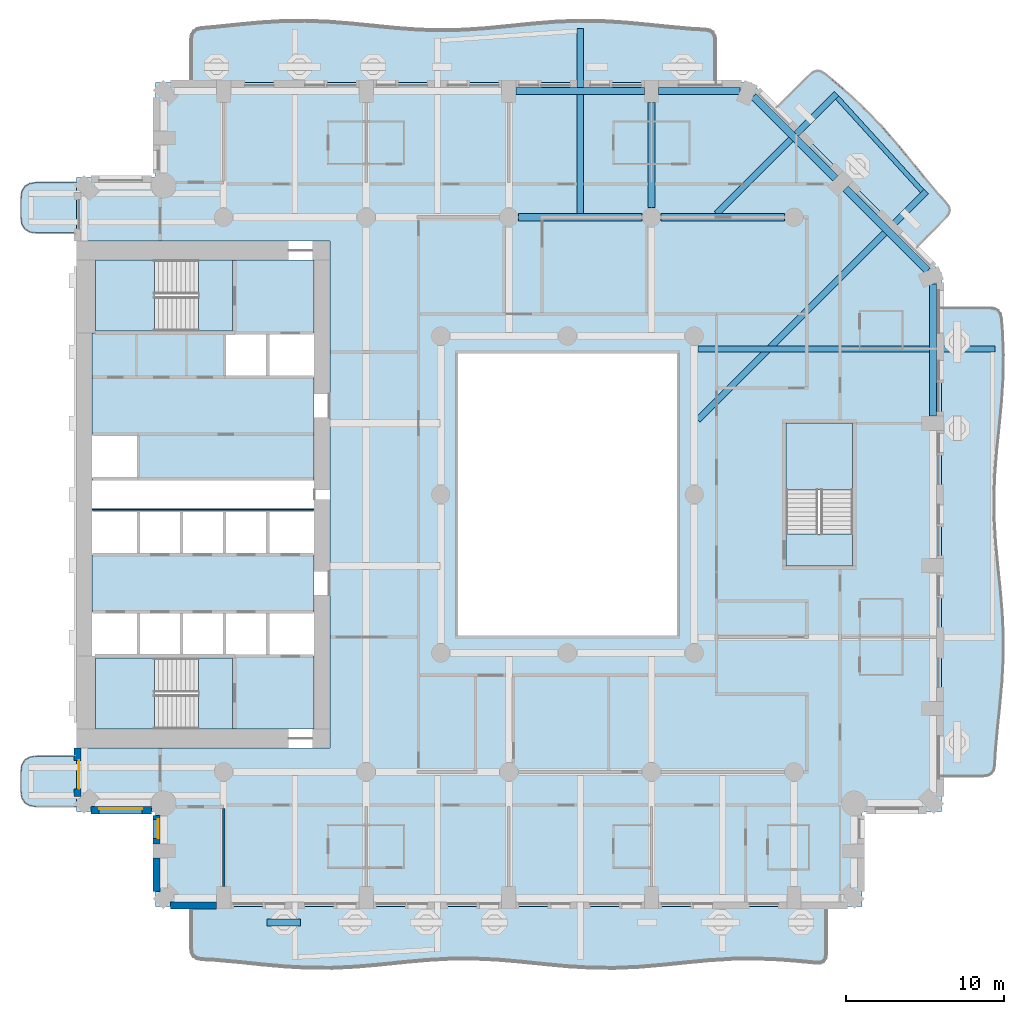
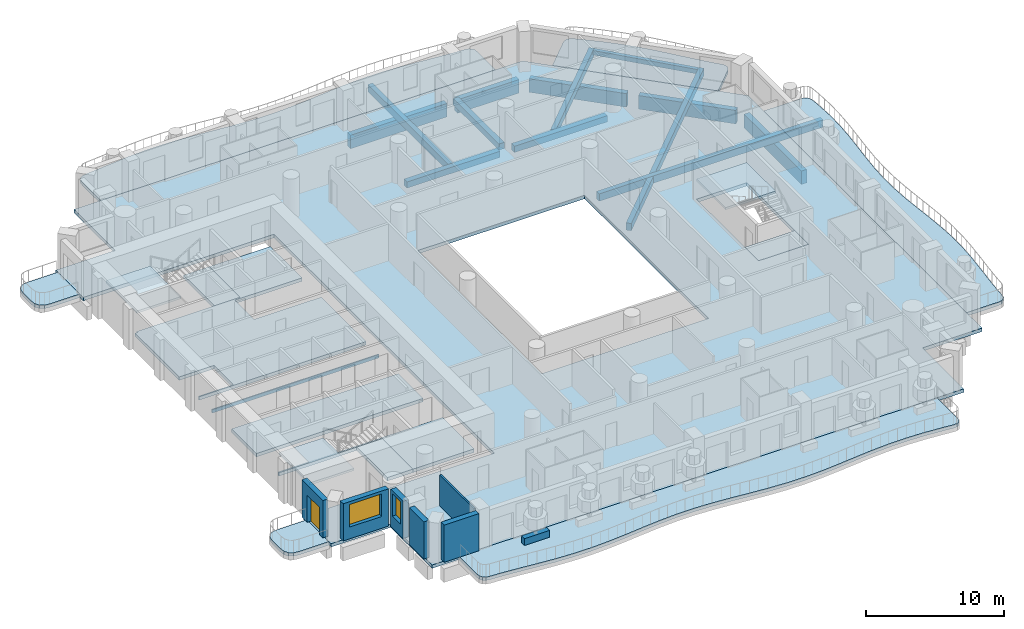
# One storey, part 2 of 19: 17 slabs, 13 beams, 7 walls, 2 windows, 1 door, 3 openings, 3 elements without a shape of their own.
"""IFC4 building model written with IfcOpenShell, lengths in metres."""

from ifc_helpers import new_model, si_unit, direction, frame, frame_2d, origin, origin_2d, place, context, subcontext, project, spatial, polyline, rectangle, outline, extrude, material, layer, layer_set, material_profile, profile_set, type_object, element, fill, aggregate, save


model = new_model("IFC4")

# Units and contexts
model_context = context("Model", 3, precision=1e-05, world=origin(), true_north=direction((0.0, 1.0)))
body_context = subcontext(model_context, "Body", "Model", "MODEL_VIEW")
ifc_project = project(units=[si_unit("LENGTHUNIT", "METRE"), si_unit("AREAUNIT", "SQUARE_METRE"), si_unit("VOLUMEUNIT", "CUBIC_METRE"), si_unit("PLANEANGLEUNIT", "RADIAN"), si_unit("MASSUNIT", "GRAM", prefix="KILO")], contexts=[model_context])

# Site, building, storey
site_placement = place(None, origin())
site = spatial("IfcSite", under=ifc_project, at=site_placement, CompositionType="ELEMENT")
building_placement = place(site_placement, origin())
building = spatial("IfcBuilding", under=site, at=building_placement, Name="Cypress Arch Tower", CompositionType="ELEMENT")
storey_placement = place(building_placement, frame((0.0, 0.0, 66.300048828125)))
storey = spatial("IfcBuildingStorey", under=building, at=storey_placement, Name="L10", CompositionType="ELEMENT", Elevation=66.300048828125)

# Beams
ifc_material_1 = material(Name="Concrete C50/60", Category="concrete")
ifc_material_profile_1 = material_profile(ifc_material_1, rectangle(XDim=0.300048828125, YDim=0.39990234375, at=origin_2d()), Name="RC 300x400")
ifc_profile_set_1 = profile_set([ifc_material_profile_1], Name="Concrete C50/60")
beam_type_1 = type_object("IfcBeamType", Name="Balcony edge beam RC 300x400 Concrete C50/60", PredefinedType="BEAM", material=ifc_profile_set_1)
beam_1_placement = place(storey_placement, frame((23.3857421875, 19.156494140625, -0.5), z_axis=(-0.673104178603, 0.739547675777, 0.0), x_axis=(-0.739547675777, -0.673104178603, 0.0)))
element("IfcBeam", 1, at=beam_1_placement, inside=storey, type_object=beam_type_1, Name="Balcony edge beam L10 A07", PredefinedType="BEAM", context=body_context, shape_type="SweptSolid", body=[
    extrude(rectangle(XDim=0.300048828125, YDim=0.39990234375, at=origin_2d()), origin(), (0.0, 0.0, 1.0), 7.9697265625),
])
ifc_material_2 = material(Name="Concrete C50/60", Category="concrete")
ifc_material_profile_2 = material_profile(ifc_material_2, rectangle(XDim=0.39990234375, YDim=0.64990234375, at=origin_2d()), Name="RC 400x650")
ifc_profile_set_2 = profile_set([ifc_material_profile_2], Name="Concrete C50/60")
beam_type_2 = type_object("IfcBeamType", Name="Cantilever beam RC 400x650 Concrete C50/60", PredefinedType="BEAM", material=ifc_profile_set_2)
beam_2_placement = place(storey_placement, frame((9.22509765625, 9.18798828125, -0.625), z_axis=(1.0, 0.0, 0.0), x_axis=(0.0, 1.0, 0.0)))
element("IfcBeam", 2, at=beam_2_placement, inside=storey, type_object=beam_type_2, Name="Cantilever beam L10 A06 2", PredefinedType="BEAM", context=body_context, shape_type="SweptSolid", body=[
    extrude(rectangle(XDim=0.39990234375, YDim=0.64990234375, at=origin_2d()), origin(), (0.0, 0.0, 1.0), 18.759033203125),
])
beam_3_placement = place(storey_placement, frame((9.22509765625, 4.712890625, -0.625), z_axis=(0.707100790305, 0.707112772018, 0.0), x_axis=(-0.707112772018, 0.707100790305, 0.0)))
element("IfcBeam", 3, at=beam_3_placement, inside=storey, type_object=beam_type_2, Name="Cantilever beam L10 A07 1", PredefinedType="BEAM", context=body_context, shape_type="SweptSolid", body=[
    extrude(rectangle(XDim=0.39990234375, YDim=0.64990234375, at=origin_2d()), origin(), (0.0, 0.0, 1.0), 20.376220703125),
])
beam_4_placement = place(storey_placement, frame((10.412841796875, 17.72509765625, -0.625), z_axis=(0.707118179241, 0.707095382949, 0.0), x_axis=(-0.707095382949, 0.707118179241, 0.0)))
element("IfcBeam", 4, at=beam_4_placement, inside=storey, type_object=beam_type_2, Name="Cantilever beam L10 A07 2", PredefinedType="BEAM", context=body_context, shape_type="SweptSolid", body=[
    extrude(rectangle(XDim=0.39990234375, YDim=0.64990234375, at=origin_2d()), origin(), (0.0, 0.0, 1.0), 10.709716796875),
])
beam_5_placement = place(storey_placement, frame((1.800048828125, 17.72509765625, -0.625), z_axis=(0.0, 1.0, 0.0), x_axis=(-1.0, 0.0, 0.0)))
element("IfcBeam", 5, at=beam_5_placement, inside=storey, type_object=beam_type_2, Name="Cantilever beam L10 A08 1", PredefinedType="BEAM", context=body_context, shape_type="SweptSolid", body=[
    extrude(rectangle(XDim=0.39990234375, YDim=0.64990234375, at=origin_2d()), origin(), (0.0, 0.0, 1.0), 11.671142578125),
])
ifc_material_3 = material(Name="Concrete C50/60", Category="concrete")
ifc_material_profile_3 = material_profile(ifc_material_3, rectangle(XDim=0.449951171875, YDim=0.550048828125, at=origin_2d()), Name="RC 450x550")
ifc_profile_set_3 = profile_set([ifc_material_profile_3], Name="Concrete C50/60")
beam_type_3 = type_object("IfcBeamType", Name="Floor beam RC 450x550 Concrete C50/60", PredefinedType="BEAM", material=ifc_profile_set_3)
for number, where, z_axis, x_axis, name in (
    (6, (-2.10009765625, 17.5, -0.574951171875), (1.0, 0.0, 0.0), (0.0, 1.0, 0.0), "Floor beam L10 FB017"),
    (7, (6.89990234375, 17.5, -0.574951171875), (1.0, 0.0, 0.0), (0.0, 1.0, 0.0), "Floor beam L10 FB018"),
):
    element("IfcBeam", number, at=place(storey_placement, frame(where, z_axis=z_axis, x_axis=x_axis)), inside=storey, type_object=beam_type_3, Name=name, PredefinedType="BEAM", context=body_context, shape_type="SweptSolid", body=[
        extrude(rectangle(XDim=0.449951171875, YDim=0.550048828125, at=origin_2d()), origin(), (0.0, 0.0, 1.0), 7.800048828125),
    ])
beam_6_placement = place(storey_placement, frame((6.300048828125, 18.10009765625, -0.574951171875), z_axis=(0.0, 1.0, 0.0), x_axis=(-1.0, 0.0, 0.0)))
element("IfcBeam", 8, at=beam_6_placement, inside=storey, type_object=beam_type_3, Name="Floor beam L10 FB033", PredefinedType="BEAM", context=body_context, shape_type="SweptSolid", body=[
    extrude(rectangle(XDim=0.449951171875, YDim=0.550048828125, at=origin_2d()), origin(), (0.0, 0.0, 1.0), 6.64990234375),
])
ifc_material_4 = material(Name="Concrete C50/60", Category="concrete")
ifc_material_profile_4 = material_profile(ifc_material_4, rectangle(XDim=0.449951171875, YDim=1.199951171875, at=origin_2d()), Name="RC 450x1200")
ifc_profile_set_4 = profile_set([ifc_material_profile_4], Name="Concrete C50/60")
beam_type_4 = type_object("IfcBeamType", Name="Spandrel beam RC 450x1200 Concrete C50/60", PredefinedType="SPANDREL", material=ifc_profile_set_4)
beam_7_placement = place(storey_placement, frame((24.074951171875, 4.949951171875, -1.550048828125), z_axis=(0.0, 1.0, 0.0), x_axis=(-1.0, 0.0, 0.0)))
element("IfcBeam", 9, at=beam_7_placement, inside=storey, type_object=beam_type_4, Name="Spandrel beam L10 BA06-3", PredefinedType="SPANDREL", context=body_context, shape_type="SweptSolid", body=[
    extrude(rectangle(XDim=0.449951171875, YDim=1.199951171875, at=origin_2d()), origin(), (0.0, 0.0, 1.0), 8.345458984375),
])
for number, where, z_axis, x_axis, name in (
    (10, (23.73046875, 14.126953125, -1.550048828125), (-0.707106781187, 0.707106781187, 0.0), (-0.707106781187, -0.707106781187, 0.0), "Spandrel beam L10 BA07-0"),
    (11, (17.91064453125, 19.947021484375, -1.550048828125), (-0.707106781187, 0.707106781187, 0.0), (-0.707106781187, -0.707106781187, 0.0), "Spandrel beam L10 BA07-1"),
):
    element("IfcBeam", number, at=place(storey_placement, frame(where, z_axis=z_axis, x_axis=x_axis)), inside=storey, type_object=beam_type_4, Name=name, PredefinedType="SPANDREL", context=body_context, shape_type="SweptSolid", body=[
        extrude(rectangle(XDim=0.449951171875, YDim=1.199951171875, at=origin_2d()), origin(), (0.0, 0.0, 1.0), 7.330810546875),
    ])
beam_8_placement = place(storey_placement, frame((11.8955078125, 25.47509765625, -1.550048828125), z_axis=(-1.0, 0.0, 0.0), x_axis=(0.0, -1.0, 0.0)))
element("IfcBeam", 12, at=beam_8_placement, inside=storey, type_object=beam_type_4, Name="Spandrel beam L10 BA08-0", PredefinedType="SPANDREL", context=body_context, shape_type="SweptSolid", body=[
    extrude(rectangle(XDim=0.449951171875, YDim=1.199951171875, at=origin_2d()), origin(), (0.0, 0.0, 1.0), 5.1455078125),
])
beam_9_placement = place(storey_placement, frame((5.85009765625, 25.47509765625, -1.550048828125), z_axis=(-1.0, 0.0, 0.0), x_axis=(0.0, -1.0, 0.0)))
element("IfcBeam", 13, at=beam_9_placement, inside=storey, type_object=beam_type_4, Name="Spandrel beam L10 BA08-1", PredefinedType="SPANDREL", context=body_context, shape_type="SweptSolid", body=[
    extrude(rectangle(XDim=0.449951171875, YDim=1.199951171875, at=origin_2d()), origin(), (0.0, 0.0, 1.0), 8.10009765625),
])

# Slabs
ifc_material_5 = material(Name="Concrete C40/50", Category="concrete")
ifc_layer_1 = layer(ifc_material_5, 0.300048828125)
ifc_layer_set_1 = layer_set([ifc_layer_1], Name="Balcony slab BS300")
slab_type_1 = type_object("IfcSlabType", Name="Balcony slab BS300", PredefinedType="USERDEFINED", material=ifc_layer_set_1)
slab_1_placement = place(storey_placement, frame((0.0, 0.0, -0.300048828125)))
element("IfcSlab", 14, at=slab_1_placement, inside=storey, type_object=slab_type_1, Name="Balcony slab L10-A00W0", ObjectType="BALCONY SLAB", PredefinedType="USERDEFINED", context=body_context, shape_type="SweptSolid", body=[
    extrude(outline(polyline([(-30.0, 19.699951171875), (-32.5, 19.699951171875), (-32.9375, 19.637451171875), (-33.25, 19.449951171875), (-33.4375, 19.137451171875), (-33.5, 18.699951171875), (-33.5, 17.5), (-33.4375, 17.0625), (-33.25, 16.75), (-32.9375, 16.5625), (-32.5, 16.5), (-30.0, 16.5), (-30.0, 19.699951171875)])), origin(), (0.0, 0.0, 1.0), 0.300048828125),
])
slab_2_placement = place(storey_placement, frame((0.0, 0.0, -0.300048828125)))
element("IfcSlab", 15, at=slab_2_placement, inside=storey, type_object=slab_type_1, Name="Balcony slab L10-A00W1", ObjectType="BALCONY SLAB", PredefinedType="USERDEFINED", context=body_context, shape_type="SweptSolid", body=[
    extrude(outline(polyline([(-30.0, -16.5), (-32.5, -16.5), (-32.9375, -16.5625), (-33.25, -16.75), (-33.4375, -17.0625), (-33.5, -17.5), (-33.5, -18.699951171875), (-33.4375, -19.137451171875), (-33.25, -19.449951171875), (-32.9375, -19.637451171875), (-32.5, -19.699951171875), (-30.0, -19.699951171875), (-30.0, -16.5)])), origin(), (0.0, 0.0, 1.0), 0.300048828125),
])
slab_3_placement = place(storey_placement, frame((0.0, 0.0, -0.300048828125)))
element("IfcSlab", 16, at=slab_3_placement, inside=storey, type_object=slab_type_1, Name="Balcony slab L10-A03", ObjectType="BALCONY SLAB", PredefinedType="USERDEFINED", context=body_context, shape_type="SweptSolid", body=[
    extrude(outline(polyline([(-22.75, -26.0), (-22.75, -28.64111328125), (-22.708251953125, -28.93603515625), (-22.5830078125, -29.151611328125), (-22.3740234375, -29.287841796875), (-22.081787109375, -29.3447265625), (-21.264892578125, -29.38671875), (-19.779541015625, -29.519287109375), (-18.29443359375, -29.673095703125), (-16.809326171875, -29.8076171875), (-15.323974609375, -29.8876953125), (-13.8388671875, -29.89208984375), (-12.353759765625, -29.819580078125), (-10.868408203125, -29.689453125), (-9.38330078125, -29.535888671875), (-7.898193359375, -29.399169921875), (-6.412841796875, -29.315185546875), (-4.927734375, -29.305908203125), (-3.442626953125, -29.3740234375), (-1.95751953125, -29.501708984375), (-0.47216796875, -29.655029296875), (1.012939453125, -29.7939453125), (2.498046875, -29.8818359375), (3.9833984375, -29.895751953125), (5.468505859375, -29.83203125), (6.95361328125, -29.70703125), (8.43896484375, -29.55419921875), (9.924072265625, -29.413330078125), (11.4091796875, -29.321533203125), (12.89453125, -29.302734375), (14.379638671875, -29.3623046875), (15.86474609375, -29.484130859375), (16.681640625, -29.568115234375), (16.97412109375, -29.555908203125), (17.182861328125, -29.451416015625), (17.308349609375, -29.25439453125), (17.35009765625, -28.964599609375), (17.35009765625, -26.0), (-22.75, -26.0)])), origin(), (0.0, 0.0, 1.0), 0.300048828125),
])
slab_4_placement = place(storey_placement, frame((0.0, 0.0, -0.300048828125)))
element("IfcSlab", 17, at=slab_4_placement, inside=storey, type_object=slab_type_1, Name="Balcony slab L10-A06", ObjectType="BALCONY SLAB", PredefinedType="USERDEFINED", context=body_context, shape_type="SweptSolid", body=[
    extrude(outline(polyline([(24.60009765625, -17.75), (27.24560546875, -17.75), (27.53857421875, -17.70849609375), (27.752685546875, -17.583984375), (27.887939453125, -17.376708984375), (27.9443359375, -17.086181640625), (27.986083984375, -16.27490234375), (28.1171875, -14.800048828125), (28.27001953125, -13.324951171875), (28.404541015625, -11.85009765625), (28.486083984375, -10.375), (28.493408203125, -8.89990234375), (28.4248046875, -7.425048828125), (28.297607421875, -5.949951171875), (28.145263671875, -4.47509765625), (28.007080078125, -3.0), (27.9189453125, -1.52490234375), (27.90380859375, -0.050048828125), (27.96533203125, 1.425048828125), (28.087646484375, 2.89990234375), (28.2392578125, 4.375), (28.380615234375, 5.85009765625), (28.47509765625, 7.324951171875), (28.498291015625, 8.800048828125), (28.4443359375, 10.27490234375), (28.379638671875, 11.086181640625), (28.31494140625, 11.376708984375), (28.173583984375, 11.583984375), (27.95556640625, 11.70849609375), (27.660888671875, 11.75), (24.60009765625, 11.75), (24.60009765625, -17.75)])), origin(), (0.0, 0.0, 1.0), 0.300048828125),
])
slab_5_placement = place(storey_placement, frame((0.0, 0.0, -0.300048828125)))
element("IfcSlab", 18, at=slab_5_placement, inside=storey, type_object=slab_type_1, Name="Balcony slab L10-A07", ObjectType="BALCONY SLAB", PredefinedType="USERDEFINED", context=body_context, shape_type="SweptSolid", body=[
    extrude(outline(polyline([(23.009033203125, 15.591064453125), (24.908203125, 17.490234375), (25.0751953125, 17.71240234375), (25.134521484375, 17.93701171875), (25.08642578125, 18.16455078125), (24.930908203125, 18.39453125), (24.4189453125, 18.96044921875), (23.52392578125, 20.025146484375), (22.645263671875, 21.10595703125), (21.759765625, 22.179931640625), (20.845703125, 23.225341796875), (19.887939453125, 24.227294921875), (18.881591796875, 25.1806640625), (17.832763671875, 26.09130859375), (17.2412109375, 26.577392578125), (17.001708984375, 26.723876953125), (16.767578125, 26.76513671875), (16.538330078125, 26.701171875), (16.314208984375, 26.5322265625), (14.19091796875, 24.408935546875), (23.009033203125, 15.591064453125)])), origin(), (0.0, 0.0, 1.0), 0.300048828125),
])
slab_6_placement = place(storey_placement, frame((0.0, 0.0, -0.300048828125)))
element("IfcSlab", 19, at=slab_6_placement, inside=storey, type_object=slab_type_1, Name="Balcony slab L10-A08", ObjectType="BALCONY SLAB", PredefinedType="USERDEFINED", context=body_context, shape_type="SweptSolid", body=[
    extrude(outline(polyline([(10.35009765625, 26.0), (10.35009765625, 28.661865234375), (10.3095703125, 28.947509765625), (10.18798828125, 29.15625), (9.98583984375, 29.288330078125), (9.702392578125, 29.34326171875), (8.910888671875, 29.38330078125), (7.4716796875, 29.510009765625), (6.03271484375, 29.658935546875), (4.593505859375, 29.79345703125), (3.154296875, 29.8798828125), (1.71533203125, 29.897216796875), (0.276123046875, 29.84130859375), (-1.1630859375, 29.7255859375), (-2.602294921875, 29.578857421875), (-4.041259765625, 29.437255859375), (-5.48046875, 29.336181640625), (-6.919677734375, 29.300048828125), (-8.358642578125, 29.338134765625), (-9.7978515625, 29.44091796875), (-11.237060546875, 29.5830078125), (-12.676025390625, 29.729248046875), (-14.115234375, 29.84375), (-15.554443359375, 29.897705078125), (-16.993408203125, 29.87841796875), (-18.4326171875, 29.790283203125), (-19.871826171875, 29.655029296875), (-21.310791015625, 29.506103515625), (-22.102294921875, 29.43701171875), (-22.3857421875, 29.371826171875), (-22.588134765625, 29.232177734375), (-22.70947265625, 29.0185546875), (-22.75, 28.73046875), (-22.75, 26.0), (10.35009765625, 26.0)])), origin(), (0.0, 0.0, 1.0), 0.300048828125),
])
ifc_material_6 = material(Name="Concrete C40/50", Category="concrete")
ifc_layer_2 = layer(ifc_material_6, 0.300048828125)
ifc_layer_set_2 = layer_set([ifc_layer_2], Name="Core floor CF300")
slab_type_2 = type_object("IfcSlabType", Name="Core floor CF300", PredefinedType="FLOOR", material=ifc_layer_set_2)
slab_7_placement = place(storey_placement, frame((0.0, 0.0, -0.300048828125)))
element("IfcSlab", 20, at=slab_7_placement, inside=storey, type_object=slab_type_2, Name="Core floor", PredefinedType="FLOOR", context=body_context, shape_type="SweptSolid", body=[
    extrude(outline(polyline([(-20.125, -14.800048828125), (-15.0, -14.800048828125), (-15.0, -10.199951171875), (-17.919921875, -10.199951171875), (-20.639892578125, -10.199951171875), (-23.360107421875, -10.199951171875), (-26.080078125, -10.199951171875), (-28.800048828125, -10.199951171875), (-28.800048828125, -10.324951171875), (-22.27490234375, -10.324951171875), (-20.125, -10.324951171875), (-20.125, -14.800048828125)])), origin(), (0.0, 0.0, 1.0), 0.300048828125),
])
slab_8_placement = place(storey_placement, frame((0.0, 0.0, -0.300048828125)))
element("IfcSlab", 21, at=slab_8_placement, inside=storey, type_object=slab_type_2, Name="Core floor", PredefinedType="FLOOR", context=body_context, shape_type="SweptSolid", body=[
    extrude(outline(polyline([(-29.0, -3.800048828125), (-29.0, -7.39990234375), (-26.080078125, -7.39990234375), (-23.360107421875, -7.39990234375), (-20.639892578125, -7.39990234375), (-17.919921875, -7.39990234375), (-15.0, -7.39990234375), (-15.0, -3.800048828125), (-17.919921875, -3.800048828125), (-20.639892578125, -3.800048828125), (-23.360107421875, -3.800048828125), (-26.080078125, -3.800048828125), (-29.0, -3.800048828125)])), origin(), (0.0, 0.0, 1.0), 0.300048828125),
])
slab_9_placement = place(storey_placement, frame((0.0, 0.0, -0.300048828125)))
element("IfcSlab", 22, at=slab_9_placement, inside=storey, type_object=slab_type_2, Name="Core floor", PredefinedType="FLOOR", context=body_context, shape_type="SweptSolid", body=[
    extrude(outline(polyline([(-29.0, 3.800048828125), (-29.0, 10.199951171875), (-28.800048828125, 10.199951171875), (-28.800048828125, 10.324951171875), (-28.60009765625, 10.324951171875), (-22.27490234375, 10.324951171875), (-20.125, 10.324951171875), (-20.125, 14.800048828125), (-15.39990234375, 14.800048828125), (-15.0, 14.800048828125), (-15.0, 10.199951171875), (-15.39990234375, 10.199951171875), (-17.919921875, 10.199951171875), (-20.639892578125, 10.199951171875), (-20.639892578125, 7.39990234375), (-17.919921875, 7.39990234375), (-15.39990234375, 7.39990234375), (-15.0, 7.39990234375), (-15.0, 0.89990234375), (-28.60009765625, 0.89990234375), (-29.0, 0.89990234375), (-29.0, 1.0), (-28.60009765625, 1.0), (-26.080078125, 1.0), (-26.080078125, 3.800048828125), (-28.60009765625, 3.800048828125), (-29.0, 3.800048828125)])), origin(), (0.0, 0.0, 1.0), 0.300048828125),
])
slab_10_placement = place(storey_placement, frame((0.0, 0.0, -0.300048828125)))
element("IfcSlab", 23, at=slab_10_placement, inside=storey, type_object=slab_type_2, Name="Core floor", PredefinedType="FLOOR", context=body_context, shape_type="SweptSolid", body=[
    extrude(outline(polyline([(-22.27490234375, -10.324951171875), (-22.27490234375, -14.800048828125), (-20.125, -14.800048828125), (-20.125, -10.324951171875), (-22.27490234375, -10.324951171875)])), origin(), (0.0, 0.0, 1.0), 0.300048828125),
])
slab_11_placement = place(storey_placement, frame((0.0, 0.0, -0.300048828125)))
element("IfcSlab", 24, at=slab_11_placement, inside=storey, type_object=slab_type_2, Name="Core floor", PredefinedType="FLOOR", context=body_context, shape_type="SweptSolid", body=[
    extrude(outline(polyline([(-20.125, 14.800048828125), (-22.27490234375, 14.800048828125), (-22.27490234375, 10.324951171875), (-20.125, 10.324951171875), (-20.125, 14.800048828125)])), origin(), (0.0, 0.0, 1.0), 0.300048828125),
])
slab_12_placement = place(storey_placement, frame((0.0, 0.0, -0.300048828125)))
element("IfcSlab", 25, at=slab_12_placement, inside=storey, type_object=slab_type_2, Name="Stair floor landing", PredefinedType="FLOOR", context=body_context, shape_type="SweptSolid", body=[
    extrude(outline(polyline([(19.0, -4.5), (19.0, -2.5), (14.800048828125, -2.5), (14.800048828125, -4.5), (19.0, -4.5)])), origin(), (0.0, 0.0, 1.0), 0.300048828125),
])
slab_13_placement = place(storey_placement, frame((0.0, 0.0, -0.300048828125)))
element("IfcSlab", 26, at=slab_13_placement, inside=storey, type_object=slab_type_2, Name="Core floor", PredefinedType="FLOOR", context=body_context, shape_type="SweptSolid", body=[
    extrude(outline(polyline([(-20.639892578125, -1.0), (-23.360107421875, -1.0), (-26.080078125, -1.0), (-28.60009765625, -1.0), (-29.0, -1.0), (-29.0, -0.89990234375), (-28.60009765625, -0.89990234375), (-15.39990234375, -0.89990234375), (-15.0, -0.89990234375), (-15.0, -1.0), (-15.39990234375, -1.0), (-17.919921875, -1.0), (-20.639892578125, -1.0)])), origin(), (0.0, 0.0, 1.0), 0.300048828125),
])
ifc_material_7 = material(Name="Concrete C40/50", Category="concrete")
ifc_layer_3 = layer(ifc_material_7, 0.300048828125)
ifc_layer_set_3 = layer_set([ifc_layer_3], Name="PT flat slab 300 Concrete C40/50")
slab_type_3 = type_object("IfcSlabType", Name="PT flat slab 300 Concrete C40/50", PredefinedType="FLOOR", material=ifc_layer_set_3)
slab_14_placement = place(storey_placement, frame((0.0, 0.0, -0.300048828125)))
element("IfcSlab", 27, at=slab_14_placement, inside=storey, type_object=slab_type_3, Name="Floor slab L10", PredefinedType="FLOOR", context=body_context, shape_type="SweptSolid", body=[
    extrude(outline(polyline([(-30.0, 20.0), (-25.0, 20.0), (-25.0, 26.0), (12.60009765625, 26.0), (24.60009765625, 14.0), (24.60009765625, -20.0), (19.60009765625, -20.0), (19.60009765625, -26.0), (-25.0, -26.0), (-25.0, -20.0), (-30.0, -20.0), (-30.0, -16.0), (-14.0, -16.0), (-14.0, 16.0), (-30.0, 16.0), (-30.0, 20.0)]), holes=[polyline([(-6.0, -9.0), (8.0, -9.0), (8.0, 9.0), (-6.0, 9.0), (-6.0, -9.0)]), polyline([(14.800048828125, -4.5), (19.0, -4.5), (19.0, 4.5), (14.800048828125, 4.5), (14.800048828125, -4.5)])]), origin(), (0.0, 0.0, 1.0), 0.300048828125),
])

# Stair, slab
ifc_material_8 = material(Name="Concrete C40/50", Category="concrete")
stair_type_1 = type_object("IfcStairType", Name="Exit stair ES1636-215", PredefinedType="HALF_TURN_STAIR", material=ifc_material_8)
stair_1_placement = place(storey_placement, origin())
stair_1 = element("IfcStair", 28, at=stair_1_placement, inside=storey, type_object=stair_type_1, Name="L10 Exit stair A", PredefinedType="HALF_TURN_STAIR")
ifc_material_9 = material(Name="Concrete C40/50", Category="concrete")
ifc_layer_4 = layer(ifc_material_9, 0.199951171875)
ifc_layer_set_4 = layer_set([ifc_layer_4], Name="Stair landing SL200")
slab_type_4 = type_object("IfcSlabType", Name="Stair landing SL200", PredefinedType="LANDING", material=ifc_layer_set_4)
slab_15_placement = place(storey_placement, frame((0.0, 0.0, 1.599853515625)))
slab_15 = element("IfcSlab", 29, at=slab_15_placement, type_object=slab_type_4, Name="A landing 1", PredefinedType="LANDING", context=body_context, shape_type="SweptSolid", body=[
    extrude(outline(polyline([(-25.074951171875, -10.324951171875), (-28.800048828125, -10.324951171875), (-28.800048828125, -14.800048828125), (-25.074951171875, -14.800048828125), (-25.074951171875, -10.324951171875)])), origin(), (0.0, 0.0, 1.0), 0.2001953125),
])
aggregate(stair_1, [slab_15])

stair_2_placement = place(storey_placement, origin())
stair_2 = element("IfcStair", 30, at=stair_2_placement, inside=storey, type_object=stair_type_1, Name="L10 Exit stair B", PredefinedType="HALF_TURN_STAIR")
slab_16_placement = place(storey_placement, frame((0.0, 0.0, 1.599853515625)))
slab_16 = element("IfcSlab", 31, at=slab_16_placement, type_object=slab_type_4, Name="B landing 1", PredefinedType="LANDING", context=body_context, shape_type="SweptSolid", body=[
    extrude(outline(polyline([(-25.074951171875, 14.800048828125), (-28.800048828125, 14.800048828125), (-28.800048828125, 10.324951171875), (-25.074951171875, 10.324951171875), (-25.074951171875, 14.800048828125)])), origin(), (0.0, 0.0, 1.0), 0.2001953125),
])
aggregate(stair_2, [slab_16])

ifc_material_10 = material(Name="Concrete C40/50", Category="concrete")
stair_type_2 = type_object("IfcStairType", Name="Exit stair ES1636-200", PredefinedType="HALF_TURN_STAIR", material=ifc_material_10)
stair_3_placement = place(storey_placement, origin())
stair_3 = element("IfcStair", 32, at=stair_3_placement, inside=storey, type_object=stair_type_2, Name="L10 Exit stair C", PredefinedType="HALF_TURN_STAIR")
slab_17_placement = place(storey_placement, frame((0.0, 0.0, 1.599853515625)))
slab_17 = element("IfcSlab", 33, at=slab_17_placement, type_object=slab_type_4, Name="C landing 1", PredefinedType="LANDING", context=body_context, shape_type="SweptSolid", body=[
    extrude(outline(polyline([(19.0, 0.300048828125), (19.0, 4.5), (14.800048828125, 4.5), (14.800048828125, 0.300048828125), (19.0, 0.300048828125)])), origin(), (0.0, 0.0, 1.0), 0.2001953125),
])
aggregate(stair_3, [slab_17])

# Wall
ifc_material_11 = material(Name="Concrete C40/50, waterproofed", Category="concrete")
ifc_layer_5 = layer(ifc_material_11, 0.449951171875)
ifc_layer_set_5 = layer_set([ifc_layer_5], Name="Balcony planter wall PW450")
wall_type_1 = type_object("IfcWallType", Name="Balcony planter wall PW450", PredefinedType="SOLIDWALL", material=ifc_layer_set_5)
wall_1_placement = place(storey_placement, frame((-17.949951171875, -27.0, 0.0), z_axis=(0.0, 0.0, 1.0), x_axis=(1.0, 0.0, 0.0)))
element("IfcWall", 34, at=wall_1_placement, inside=storey, type_object=wall_type_1, Name="Balcony planter wall L10-A03.1", PredefinedType="SOLIDWALL", context=body_context, shape_type="SweptSolid", body=[
    extrude(rectangle(XDim=2.099853515625, YDim=0.449951171875, at=frame_2d((1.0498046875, 0.0))), origin(), (0.0, 0.0, 1.0), 0.599853515625),
])

# Wall, opening, door
ifc_material_12 = material(Name="Brick (red buff blend)", Category="masonry")
ifc_layer_6 = layer(ifc_material_12, 0.449951171875)
ifc_layer_set_6 = layer_set([ifc_layer_6], Name="Brick pier and spandrel wall BW450")
wall_type_2 = type_object("IfcWallType", Name="Brick pier and spandrel wall BW450", PredefinedType="SOLIDWALL", material=ifc_layer_set_6)
wall_2_placement = place(storey_placement, frame((-29.925048828125, -16.0, 0.0), z_axis=(0.0, 0.0, 1.0), x_axis=(0.0, -1.0, 0.0)))
wall_2 = element("IfcWall", 35, at=wall_2_placement, inside=storey, type_object=wall_type_2, Name="Brick wall L10 A00.0.1", PredefinedType="SOLIDWALL", context=body_context, shape_type="SweptSolid", body=[
    extrude(rectangle(XDim=3.063720703125, YDim=0.449951171875, at=frame_2d((1.53173828125, 0.0))), origin(), (0.0, 0.0, 1.0), 3.300048828125),
])
opening_1_placement = place(wall_2_placement, frame((0.78173828125, 0.0, 0.0)))
opening_1 = element("IfcOpeningElement", 36, at=opening_1_placement, cuts=wall_2, Name="Opening D-L10-A00.0.1.9", PredefinedType="OPENING", context=body_context, shape_type="SweptSolid", body=[
    extrude(rectangle(XDim=1.800048828125, YDim=2.39990234375, at=frame_2d((0.89990234375, 1.199951171875))), frame((0.0, 0.23486328125, 0.0), z_axis=(0.0, -1.0, 0.0), x_axis=(1.0, 0.0, 0.0)), (0.0, 0.0, 1.0), 0.469970703125),
])
ifc_material_13 = material(Name="Anodised aluminium, bronze finish, laminated low-emissivity double glazing, large-missile impact rated", Category="aluminium")
door_type = type_object("IfcDoorType", Name="Balcony sliding door 1800x2400", OperationType="SLIDING_TO_LEFT", PredefinedType="DOOR", material=ifc_material_13)
door_placement = place(opening_1_placement, origin())
door = element("IfcDoor", 37, at=door_placement, inside=storey, type_object=door_type, Name="Balcony door L10 A00.0.1.9", OperationType="SLIDING_TO_LEFT", OverallHeight=2.39990234375, OverallWidth=1.800048828125, PredefinedType="DOOR", context=body_context, shape_type="SweptSolid", body=[
    extrude(rectangle(XDim=1.800048828125, YDim=2.39990234375, at=frame_2d((0.89990234375, 1.199951171875))), frame((0.0, 0.1298828125, 0.0), z_axis=(0.0, -1.0, 0.0), x_axis=(1.0, 0.0, 0.0)), (0.0, 0.0, 1.0), 0.050048828125),
])
fill(opening_1, door)

# Wall, opening, window
wall_3_placement = place(storey_placement, frame((-29.063720703125, -19.925048828125, 0.0), z_axis=(0.0, 0.0, 1.0), x_axis=(1.0, 0.0, 0.0)))
wall_3 = element("IfcWall", 38, at=wall_3_placement, inside=storey, type_object=wall_type_2, Name="Brick wall L10 A01.0", PredefinedType="SOLIDWALL", context=body_context, shape_type="SweptSolid", body=[
    extrude(rectangle(XDim=3.80517578125, YDim=0.449951171875, at=frame_2d((1.902587890625, 0.0))), origin(), (0.0, 0.0, 1.0), 3.300048828125),
])
opening_2_placement = place(wall_3_placement, frame((0.513671875, 0.0, 1.050048828125)))
opening_2 = element("IfcOpeningElement", 39, at=opening_2_placement, cuts=wall_3, Name="Opening W270H", PredefinedType="OPENING", context=body_context, shape_type="SweptSolid", body=[
    extrude(rectangle(XDim=2.699951171875, YDim=2.0, at=frame_2d((1.35009765625, 1.0))), frame((0.0, 0.23486328125, 0.0), z_axis=(0.0, -1.0, 0.0), x_axis=(1.0, 0.0, 0.0)), (0.0, 0.0, 1.0), 0.469970703125),
])
ifc_material_14 = material(Name="Anodised aluminium, bronze finish, clear low-emissivity double glazing", Category="aluminium")
window_type_1 = type_object("IfcWindowType", Name="Window Hotel 2700x2000", PartitioningType="SINGLE_PANEL", PredefinedType="WINDOW", material=ifc_material_14)
window_1_placement = place(opening_2_placement, origin())
window_1 = element("IfcWindow", 40, at=window_1_placement, inside=storey, type_object=window_type_1, Name="Window L10 A01.0.1", OverallHeight=2.0, OverallWidth=2.699951171875, PartitioningType="SINGLE_PANEL", PredefinedType="WINDOW", context=body_context, shape_type="SweptSolid", body=[
    extrude(rectangle(XDim=2.699951171875, YDim=2.0, at=frame_2d((1.35009765625, 1.0))), frame((0.0, 0.135009765625, 0.0), z_axis=(0.0, -1.0, 0.0), x_axis=(1.0, 0.0, 0.0)), (0.0, 0.0, 1.0), 0.06005859375),
])
fill(opening_2, window_1)

wall_4_placement = place(storey_placement, frame((-24.925048828125, -20.258544921875, 0.0), z_axis=(0.0, 0.0, 1.0), x_axis=(0.0, -1.0, 0.0)))
wall_4 = element("IfcWall", 41, at=wall_4_placement, inside=storey, type_object=wall_type_2, Name="Brick wall L10 A02.0", PredefinedType="SOLIDWALL", context=body_context, shape_type="SweptSolid", body=[
    extrude(rectangle(XDim=1.79150390625, YDim=0.449951171875, at=frame_2d((0.895751953125, 0.0))), origin(), (0.0, 0.0, 1.0), 3.300048828125),
])
opening_3_placement = place(wall_4_placement, frame((0.241455078125, 0.0, 1.050048828125)))
opening_3 = element("IfcOpeningElement", 42, at=opening_3_placement, cuts=wall_4, Name="Opening W120H", PredefinedType="OPENING", context=body_context, shape_type="SweptSolid", body=[
    extrude(rectangle(XDim=1.199951171875, YDim=2.0, at=frame_2d((0.60009765625, 1.0))), frame((0.0, 0.23486328125, 0.0), z_axis=(0.0, -1.0, 0.0), x_axis=(1.0, 0.0, 0.0)), (0.0, 0.0, 1.0), 0.469970703125),
])
ifc_material_15 = material(Name="Anodised aluminium, bronze finish, clear low-emissivity double glazing", Category="aluminium")
window_type_2 = type_object("IfcWindowType", Name="Window Hotel 1200x2000", PartitioningType="SINGLE_PANEL", PredefinedType="WINDOW", material=ifc_material_15)
window_2_placement = place(opening_3_placement, origin())
window_2 = element("IfcWindow", 43, at=window_2_placement, inside=storey, type_object=window_type_2, Name="Window L10 A02.0.1", OverallHeight=2.0, OverallWidth=1.199951171875, PartitioningType="SINGLE_PANEL", PredefinedType="WINDOW", context=body_context, shape_type="SweptSolid", body=[
    extrude(rectangle(XDim=1.199951171875, YDim=2.0, at=frame_2d((0.60009765625, 1.0))), frame((0.0, 0.135009765625, 0.0), z_axis=(0.0, -1.0, 0.0), x_axis=(1.0, 0.0, 0.0)), (0.0, 0.0, 1.0), 0.06005859375),
])
fill(opening_3, window_2)

# Walls
wall_5_placement = place(storey_placement, frame((-24.925048828125, -22.949951171875, 0.0), z_axis=(0.0, 0.0, 1.0), x_axis=(0.0, -1.0, 0.0)))
element("IfcWall", 44, at=wall_5_placement, inside=storey, type_object=wall_type_2, Name="Brick wall L10 A02.1", PredefinedType="SOLIDWALL", context=body_context, shape_type="SweptSolid", body=[
    extrude(rectangle(XDim=2.11376953125, YDim=0.449951171875, at=frame_2d((1.056884765625, 0.0))), origin(), (0.0, 0.0, 1.0), 3.300048828125),
])
wall_6_placement = place(storey_placement, frame((-24.063720703125, -25.925048828125, 0.0), z_axis=(0.0, 0.0, 1.0), x_axis=(1.0, 0.0, 0.0)))
element("IfcWall", 45, at=wall_6_placement, inside=storey, type_object=wall_type_2, Name="Brick wall L10 A03.0", PredefinedType="SOLIDWALL", context=body_context, shape_type="SweptSolid", body=[
    extrude(rectangle(XDim=2.913818359375, YDim=0.449951171875, at=frame_2d((1.45703125, 0.0))), origin(), (0.0, 0.0, 1.0), 3.300048828125),
])
ifc_material_16 = material(Name="Blockwork, plastered both sides", Category="masonry")
ifc_layer_7 = layer(ifc_material_16, 0.14990234375)
ifc_layer_set_7 = layer_set([ifc_layer_7], Name="Partition PW150")
wall_type_3 = type_object("IfcWallType", Name="Partition PW150", PredefinedType="PARTITIONING", material=ifc_layer_set_7)
wall_7_placement = place(storey_placement, frame((-20.699951171875, -24.75, 0.0), z_axis=(0.0, 0.0, 1.0), x_axis=(0.0, 1.0, 0.0)))
element("IfcWall", 46, at=wall_7_placement, inside=storey, type_object=wall_type_3, Name="Partition", PredefinedType="PARTITIONING", context=body_context, shape_type="SweptSolid", body=[
    extrude(rectangle(XDim=4.949951171875, YDim=0.14990234375, at=frame_2d((2.47509765625, 0.0))), origin(), (0.0, 0.0, 1.0), 2.75),
])

save(model, "model.ifc")
